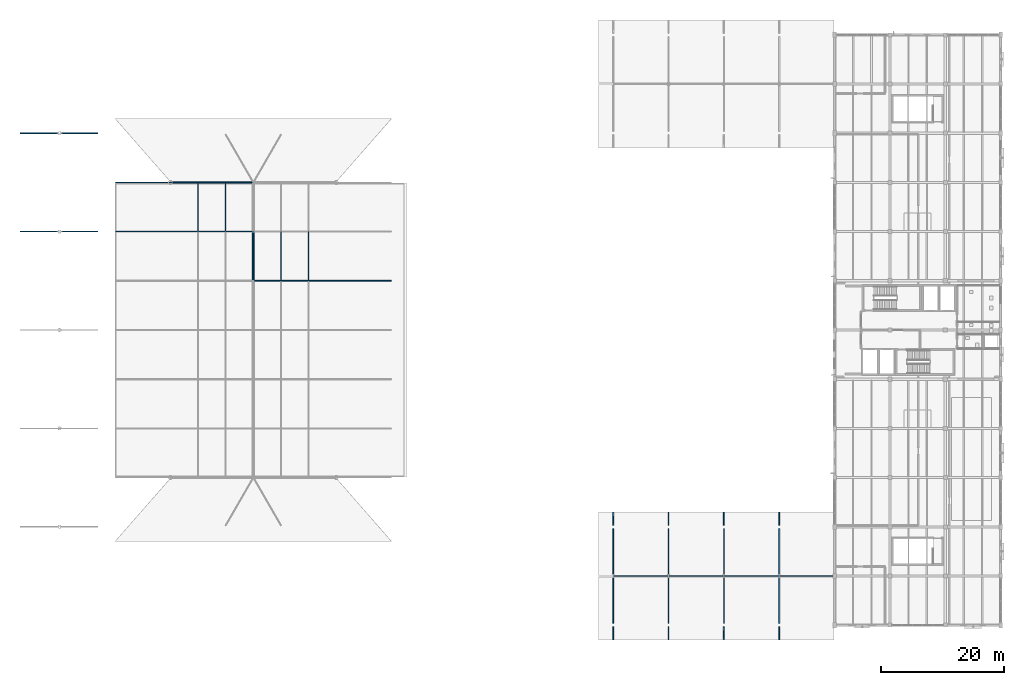
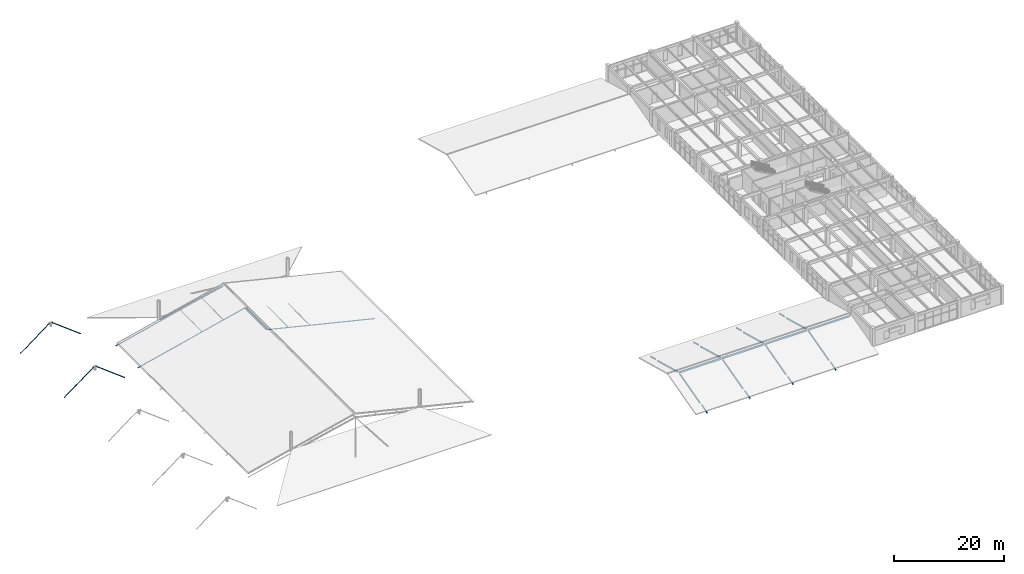
# One storey, part 11 of 71: 21 members, 12 beams.
"""IFC4 building model written with IfcOpenShell, lengths in metres."""

from ifc_helpers import new_model, si_unit, derived_unit, direction, frame, origin, origin_2d, place, context, subcontext, project, spatial, hollow_rectangle, hollow_circle, i_section, extrude, material, material_profile, profile_set, type_object, element, save


model = new_model("IFC4")

# Units and contexts
model_context = context("Model", 3, precision=1e-05, world=origin(), true_north=direction((0.0, 1.0)))
body_context = subcontext(model_context, "Body", "Model", "MODEL_VIEW")
ifc_project = project(units=[si_unit("LENGTHUNIT", "METRE"), si_unit("AREAUNIT", "SQUARE_METRE"), si_unit("VOLUMEUNIT", "CUBIC_METRE"), si_unit("PLANEANGLEUNIT", "RADIAN"), si_unit("MASSUNIT", "GRAM", prefix="KILO"), derived_unit("THERMALTRANSMITTANCEUNIT", [(si_unit("MASSUNIT", "GRAM", prefix="KILO"), 1), (si_unit("TIMEUNIT", "SECOND"), -3), (si_unit("THERMODYNAMICTEMPERATUREUNIT", "KELVIN"), -1)])], contexts=[model_context])

# Site, building, storey
site_placement = place(None, origin())
site = spatial("IfcSite", under=ifc_project, at=site_placement, CompositionType="ELEMENT")
building_placement = place(site_placement, origin())
building = spatial("IfcBuilding", under=site, at=building_placement, Name="Zhenchuan Archway Interchange", CompositionType="ELEMENT")
storey_placement = place(building_placement, frame((0.0, 0.0, 18.60009765625)))
storey = spatial("IfcBuildingStorey", under=building, at=storey_placement, Name="L04", CompositionType="ELEMENT", Elevation=18.60009765625)

# Beams
ifc_material_1 = material(Name="Steel Q355", Category="steel")
ifc_material_profile_1 = material_profile(ifc_material_1, i_section(OverallWidth=0.14990234375, OverallDepth=0.300048828125, WebThickness=0.006591796875, FlangeThickness=0.009033203125, FilletRadius=0.012939453125, at=origin_2d()), Name="HN 300x150")
ifc_profile_set_1 = profile_set([ifc_material_profile_1], Name="Steel Q355")
beam_type_1 = type_object("IfcBeamType", Name="BM_STL_EAVE_HN300", PredefinedType="BEAM", material=ifc_profile_set_1)
for number, where, z_axis, x_axis, name in (
    (1, (108.0, 7.699951171875, -0.2001953125), (0.0, -0.962251356687, -0.272162316557), (1.0, 0.0, 0.0), "Courtyard S-arm storm-eave bracket X108-S"),
    (2, (108.0, 24.300048828125, -0.2001953125), (0.0, 0.962251356687, -0.272162316557), (-1.0, 0.0, 0.0), "Courtyard S-arm storm-eave bracket X108-N"),
    (3, (117.0, 7.699951171875, -0.2001953125), (0.0, -0.962251356687, -0.272162316557), (1.0, 0.0, 0.0), "Courtyard S-arm storm-eave bracket X117-S"),
    (4, (117.0, 24.300048828125, -0.2001953125), (0.0, 0.962251356687, -0.272162316557), (-1.0, 0.0, 0.0), "Courtyard S-arm storm-eave bracket X117-N"),
    (5, (126.0, 7.699951171875, -0.2001953125), (0.0, -0.962251356687, -0.272162316557), (1.0, 0.0, 0.0), "Courtyard S-arm storm-eave bracket X126-S"),
    (6, (126.0, 24.300048828125, -0.2001953125), (0.0, 0.962251356687, -0.272162316557), (-1.0, 0.0, 0.0), "Courtyard S-arm storm-eave bracket X126-N"),
    (7, (135.0, 7.699951171875, -0.2001953125), (0.0, -0.962251356687, -0.272162316557), (1.0, 0.0, 0.0), "Courtyard S-arm storm-eave bracket X135-S"),
    (8, (135.0, 24.300048828125, -0.2001953125), (0.0, 0.962251356687, -0.272162316557), (-1.0, 0.0, 0.0), "Courtyard S-arm storm-eave bracket X135-N"),
):
    element("IfcBeam", number, at=place(storey_placement, frame(where, z_axis=z_axis, x_axis=x_axis)), inside=storey, type_object=beam_type_1, Name=name, PredefinedType="BEAM", context=body_context, shape_type="SweptSolid", body=[
        extrude(i_section(OverallWidth=0.14990234375, OverallDepth=0.300048828125, WebThickness=0.006591796875, FlangeThickness=0.009033203125, FilletRadius=0.012939453125, at=origin_2d()), origin(), (0.0, 0.0, 1.0), 2.13037109375),
    ])
ifc_material_profile_2 = material_profile(ifc_material_1, i_section(OverallWidth=0.199951171875, OverallDepth=0.39990234375, WebThickness=0.008056640625, FlangeThickness=0.012939453125, FilletRadius=0.01611328125, at=origin_2d()), Name="HN 400x200")
ifc_profile_set_2 = profile_set([ifc_material_profile_2], Name="Steel Q355")
beam_type_2 = type_object("IfcBeamType", Name="BM_STL_GABLE_HN400", PredefinedType="BEAM", material=ifc_profile_set_2)
for number, where, z_axis, x_axis, name in (
    (9, (108.0400390625, 16.0, 1.8798828125), (1.0, 0.0, 0.0), (0.0, 1.0, 0.0), "Courtyard S-arm ridge beam 1"),
    (10, (117.0400390625, 16.0, 1.8798828125), (1.0, 0.0, 0.0), (0.0, 1.0, 0.0), "Courtyard S-arm ridge beam 2"),
    (11, (126.0400390625, 16.0, 1.8798828125), (1.0, 0.0, 0.0), (0.0, 1.0, 0.0), "Courtyard S-arm ridge beam 3"),
    (12, (135.0400390625, 16.0, 1.8798828125), (1.0, 0.0, 0.0), (0.0, 1.0, 0.0), "Courtyard S-arm ridge beam 4"),
):
    element("IfcBeam", number, at=place(storey_placement, frame(where, z_axis=z_axis, x_axis=x_axis)), inside=storey, type_object=beam_type_2, Name=name, PredefinedType="BEAM", context=body_context, shape_type="SweptSolid", body=[
        extrude(i_section(OverallWidth=0.199951171875, OverallDepth=0.39990234375, WebThickness=0.008056640625, FlangeThickness=0.012939453125, FilletRadius=0.01611328125, at=origin_2d()), origin(), (0.0, 0.0, 1.0), 8.919921875),
    ])

# Members
ifc_material_2 = material(Name="Steel Q390", Category="steel")
ifc_material_profile_3 = material_profile(ifc_material_2, hollow_circle(Radius=0.056884765625, WallThickness=0.006103515625, at=origin_2d()), Name="CHS 114x6")
ifc_profile_set_3 = profile_set([ifc_material_profile_3], Name="Steel Q390")
member_type_1 = type_object("IfcMemberType", Name="MB_CBL_CHS114", PredefinedType="USERDEFINED", material=ifc_profile_set_3)
for number, where, z_axis, x_axis, name in (
    (13, (49.550048828125, 64.0, 2.75), (0.972148755208, 0.0, -0.234364668299), (0.0, 1.0, 0.0), "CONCOURSE ROOF CABLE east radial strand 5"),
    (14, (27.050048828125, 72.0, -2.650146484375), (0.972148755208, 0.0, 0.234364668299), (0.0, 1.0, 0.0), "CONCOURSE ROOF CABLE west radial strand 6"),
    (15, (27.050048828125, 80.0, -2.650146484375), (0.972148755208, 0.0, 0.234364668299), (0.0, 1.0, 0.0), "CONCOURSE ROOF CABLE west radial strand 7"),
):
    element("IfcMember", number, at=place(storey_placement, frame(where, z_axis=z_axis, x_axis=x_axis)), inside=storey, type_object=member_type_1, Name=name, ObjectType="CABLE", PredefinedType="USERDEFINED", context=body_context, shape_type="SweptSolid", body=[
        extrude(hollow_circle(Radius=0.056884765625, WallThickness=0.006103515625, at=origin_2d()), origin(), (0.0, 0.0, 1.0), 23.041748046875),
    ])
member_1_placement = place(storey_placement, frame((17.75, 72.0, 0.75), z_axis=(-0.800769910418, 0.0, -0.598972078289), x_axis=(0.0, -1.0, 0.0)))
element("IfcMember", 16, at=member_1_placement, inside=storey, type_object=member_type_1, Name="BUS CANOPY STAY CABLE west BM4", ObjectType="CABLE", PredefinedType="USERDEFINED", context=body_context, shape_type="SweptSolid", body=[
    extrude(hollow_circle(Radius=0.056884765625, WallThickness=0.006103515625, at=origin_2d()), origin(), (0.0, 0.0, 1.0), 7.679931640625),
])
member_2_placement = place(storey_placement, frame((18.25, 72.0, 0.75), z_axis=(0.793062909008, 0.0, -0.609139739597), x_axis=(0.0, 1.0, 0.0)))
element("IfcMember", 17, at=member_2_placement, inside=storey, type_object=member_type_1, Name="BUS CANOPY STAY CABLE east BM4", ObjectType="CABLE", PredefinedType="USERDEFINED", context=body_context, shape_type="SweptSolid", body=[
    extrude(hollow_circle(Radius=0.056884765625, WallThickness=0.006103515625, at=origin_2d()), origin(), (0.0, 0.0, 1.0), 7.50244140625),
])
member_3_placement = place(storey_placement, frame((17.75, 88.0, 0.75), z_axis=(-0.800769910418, 0.0, -0.598972078289), x_axis=(0.0, -1.0, 0.0)))
element("IfcMember", 18, at=member_3_placement, inside=storey, type_object=member_type_1, Name="BUS CANOPY STAY CABLE west BM5", ObjectType="CABLE", PredefinedType="USERDEFINED", context=body_context, shape_type="SweptSolid", body=[
    extrude(hollow_circle(Radius=0.056884765625, WallThickness=0.006103515625, at=origin_2d()), origin(), (0.0, 0.0, 1.0), 7.679931640625),
])
member_4_placement = place(storey_placement, frame((18.25, 88.0, 0.75), z_axis=(0.793062909008, 0.0, -0.609139739597), x_axis=(0.0, 1.0, 0.0)))
element("IfcMember", 19, at=member_4_placement, inside=storey, type_object=member_type_1, Name="BUS CANOPY STAY CABLE east BM5", ObjectType="CABLE", PredefinedType="USERDEFINED", context=body_context, shape_type="SweptSolid", body=[
    extrude(hollow_circle(Radius=0.056884765625, WallThickness=0.006103515625, at=origin_2d()), origin(), (0.0, 0.0, 1.0), 7.50244140625),
])
ifc_material_profile_4 = material_profile(ifc_material_2, hollow_circle(Radius=0.04443359375, WallThickness=0.006103515625, at=origin_2d()), Name="CHS 89x6")
ifc_profile_set_4 = profile_set([ifc_material_profile_4], Name="Steel Q390")
member_type_2 = type_object("IfcMemberType", Name="MB_CBL_CHS89", PredefinedType="USERDEFINED", material=ifc_profile_set_4)
for number, where, z_axis, x_axis, name in (
    (20, (54.0, 64.02001953125, 1.639892578125), (0.0, 1.0, 0.0), (-1.0, 0.0, 0.0), "CONCOURSE ROOF CABLE longitudinal net strand 5-4"),
    (21, (58.5, 64.02001953125, 0.559814453125), (0.0, 1.0, 0.0), (-1.0, 0.0, 0.0), "CONCOURSE ROOF CABLE longitudinal net strand 5-5"),
    (22, (40.5, 72.02001953125, 0.559814453125), (0.0, 1.0, 0.0), (-1.0, 0.0, 0.0), "CONCOURSE ROOF CABLE longitudinal net strand 6-2"),
    (23, (45.0, 72.02001953125, 1.639892578125), (0.0, 1.0, 0.0), (-1.0, 0.0, 0.0), "CONCOURSE ROOF CABLE longitudinal net strand 6-3"),
):
    element("IfcMember", number, at=place(storey_placement, frame(where, z_axis=z_axis, x_axis=x_axis)), inside=storey, type_object=member_type_2, Name=name, ObjectType="CABLE", PredefinedType="USERDEFINED", context=body_context, shape_type="SweptSolid", body=[
        extrude(hollow_circle(Radius=0.04443359375, WallThickness=0.006103515625, at=origin_2d()), origin(), (0.0, 0.0, 1.0), 7.9599609375),
    ])
ifc_material_profile_5 = material_profile(ifc_material_1, hollow_circle(Radius=0.177978515625, WallThickness=0.011962890625, at=origin_2d()), Name="CHS 356x12")
ifc_profile_set_5 = profile_set([ifc_material_profile_5], Name="Steel Q355")
member_type_3 = type_object("IfcMemberType", Name="MB_CHS356", PredefinedType="CHORD", material=ifc_profile_set_5)
member_5_placement = place(storey_placement, frame((36.320068359375, 80.0, -0.18017578125), z_axis=(0.975991093765, 0.0, 0.217810433384), x_axis=(0.0, 1.0, 0.0)))
element("IfcMember", 24, at=member_5_placement, inside=storey, type_object=member_type_3, Name="CONCOURSE CABLE-NET RING BEAM transverse rafter NW", PredefinedType="CHORD", context=body_context, shape_type="SweptSolid", body=[
    extrude(hollow_circle(Radius=0.177978515625, WallThickness=0.011962890625, at=origin_2d()), origin(), (0.0, 0.0, 1.0), 13.452880859375),
])
ifc_material_profile_6 = material_profile(ifc_material_2, hollow_circle(Radius=0.202880859375, WallThickness=0.013916015625, at=origin_2d()), Name="CHS 406x14")
ifc_profile_set_6 = profile_set([ifc_material_profile_6], Name="Steel Q390")
member_type_4 = type_object("IfcMemberType", Name="MB_CHS406", PredefinedType="CHORD", material=ifc_profile_set_6)
member_6_placement = place(storey_placement, frame((49.5, 64.1201171875, 2.75), z_axis=(0.0, 1.0, 0.0), x_axis=(-1.0, 0.0, 0.0)))
element("IfcMember", 25, at=member_6_placement, inside=storey, type_object=member_type_4, Name="CONCOURSE ROOF CABLE crown ridge chord 4", PredefinedType="CHORD", context=body_context, shape_type="SweptSolid", body=[
    extrude(hollow_circle(Radius=0.202880859375, WallThickness=0.013916015625, at=origin_2d()), origin(), (0.0, 0.0, 1.0), 7.759765625),
])
ifc_material_profile_7 = material_profile(ifc_material_1, hollow_rectangle(XDim=0.199951171875, YDim=0.300048828125, WallThickness=0.010009765625, InnerFilletRadius=0.010009765625, OuterFilletRadius=0.02001953125, at=origin_2d()), Name="RHS 300x200x10")
ifc_profile_set_7 = profile_set([ifc_material_profile_7], Name="Steel Q355")
member_type_5 = type_object("IfcMemberType", Name="MB_RHS300", PredefinedType="CHORD", material=ifc_profile_set_7)
for number, where, z_axis, x_axis, name in (
    (26, (108.0, 8.300048828125, -0.18017578125), (0.0, 0.964762367881, 0.263122734709), (-1.0, 0.0, 0.0), "Courtyard S-arm rafter X108-1"),
    (27, (108.0, 16.219970703125, 1.85986328125), (0.0, 0.964762367881, -0.263122734709), (-1.0, 0.0, 0.0), "Courtyard S-arm rafter X108-2"),
    (28, (117.0, 8.300048828125, -0.18017578125), (0.0, 0.964762367881, 0.263122734709), (-1.0, 0.0, 0.0), "Courtyard S-arm rafter X117-1"),
    (29, (117.0, 16.219970703125, 1.85986328125), (0.0, 0.964762367881, -0.263122734709), (-1.0, 0.0, 0.0), "Courtyard S-arm rafter X117-2"),
    (30, (126.0, 8.300048828125, -0.18017578125), (0.0, 0.964762367881, 0.263122734709), (-1.0, 0.0, 0.0), "Courtyard S-arm rafter X126-1"),
    (31, (126.0, 16.219970703125, 1.85986328125), (0.0, 0.964762367881, -0.263122734709), (-1.0, 0.0, 0.0), "Courtyard S-arm rafter X126-2"),
    (32, (135.0, 8.300048828125, -0.18017578125), (0.0, 0.964762367881, 0.263122734709), (-1.0, 0.0, 0.0), "Courtyard S-arm rafter X135-1"),
    (33, (135.0, 16.219970703125, 1.85986328125), (0.0, 0.964762367881, -0.263122734709), (-1.0, 0.0, 0.0), "Courtyard S-arm rafter X135-2"),
):
    element("IfcMember", number, at=place(storey_placement, frame(where, z_axis=z_axis, x_axis=x_axis)), inside=storey, type_object=member_type_5, Name=name, PredefinedType="CHORD", context=body_context, shape_type="SweptSolid", body=[
        extrude(hollow_rectangle(XDim=0.199951171875, YDim=0.300048828125, WallThickness=0.010009765625, InnerFilletRadius=0.010009765625, OuterFilletRadius=0.02001953125, at=origin_2d()), origin(), (0.0, 0.0, 1.0), 7.753173828125),
    ])

save(model, "model.ifc")
